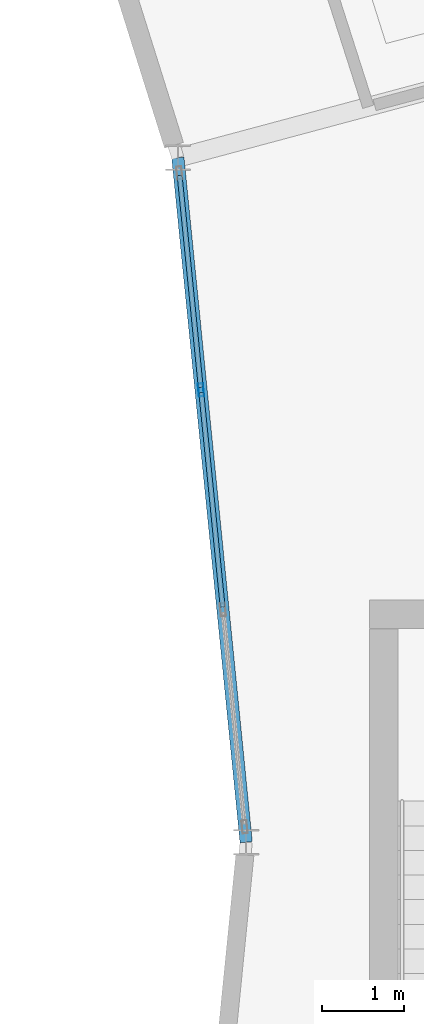
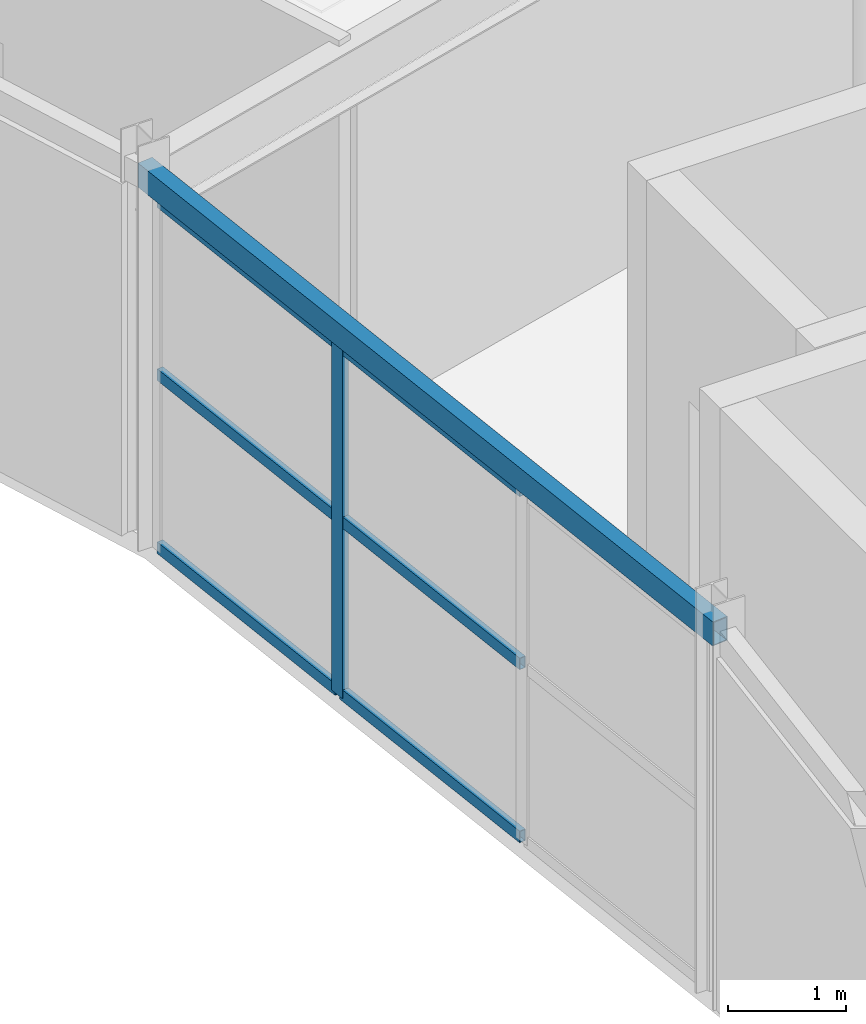
# One storey, part 63 of 147: 7 members, 1 beam, 1 element without a shape of its own.
"""IFC4 building model written with IfcOpenShell, lengths in metres."""

from ifc_helpers import new_model, si_unit, direction, frame, origin, origin_2d, place, context, subcontext, project, spatial, hollow_rectangle, extrude, material, material_profile, profile_set, type_object, element, aggregate, save


model = new_model("IFC4")

# Units and contexts
model_context = context("Model", 3, precision=1e-05, world=origin(), true_north=direction((0.0, 1.0)))
body_context = subcontext(model_context, "Body", "Model", "MODEL_VIEW")
ifc_project = project(units=[si_unit("LENGTHUNIT", "METRE"), si_unit("AREAUNIT", "SQUARE_METRE"), si_unit("VOLUMEUNIT", "CUBIC_METRE"), si_unit("PLANEANGLEUNIT", "RADIAN"), si_unit("MASSUNIT", "GRAM", prefix="KILO")], contexts=[model_context])

# Site, building, storey
site_placement = place(None, origin())
site = spatial("IfcSite", under=ifc_project, at=site_placement, CompositionType="ELEMENT")
building_placement = place(site_placement, origin())
building = spatial("IfcBuilding", under=site, at=building_placement, Name="Karori Crest Natural Sciences Institute", CompositionType="ELEMENT")
storey_placement = place(building_placement, frame((0.0, 0.0, 9.10009765625)))
storey = spatial("IfcBuildingStorey", under=building, at=storey_placement, Name="L02", CompositionType="ELEMENT", Elevation=9.10009765625)

# Beam
ifc_material_1 = material(Name="Hollow structural steel AS/NZS 1163 Grade C350", Category="steel")
ifc_material_profile_1 = material_profile(ifc_material_1, hollow_rectangle(XDim=0.14990234375, YDim=0.25, WallThickness=0.009033203125, at=origin_2d()), Name="RHS250x150x9")
ifc_profile_set_1 = profile_set([ifc_material_profile_1], Name="Hollow structural steel AS/NZS 1163 Grade C350")
beam_type = type_object("IfcBeamType", Name="BT-16", PredefinedType="SPANDREL", material=ifc_profile_set_1)
beam_placement = place(storey_placement, frame((90.800048828125, 49.89990234375, 3.789794921875), z_axis=(-0.099284371237, 0.99505910057, 0.0), x_axis=(-0.99505910057, -0.099284371237, 0.0)))
element("IfcBeam", 1, at=beam_placement, inside=storey, type_object=beam_type, Name="Beam B-0272", PredefinedType="SPANDREL", context=body_context, shape_type="SweptSolid", body=[
    extrude(hollow_rectangle(XDim=0.14990234375, YDim=0.25, WallThickness=0.009033203125, at=origin_2d()), origin(), (0.0, 0.0, 1.0), 8.37548828125),
])

# Curtain wall, members
ifc_material_2 = material(Name="Anodised architectural aluminium 6063-T6", Category="aluminium")
curtain_wall_type = type_object("IfcCurtainWallType", Name="CWT-11", PredefinedType="NOTDEFINED", material=ifc_material_2)
curtain_wall_placement = place(storey_placement, origin())
curtain_wall = element("IfcCurtainWall", 2, at=curtain_wall_placement, inside=storey, type_object=curtain_wall_type, Name="Curtain wall CW-0066", PredefinedType="NOTDEFINED")
ifc_material_profile_2 = material_profile(ifc_material_2, hollow_rectangle(XDim=0.06494140625, YDim=0.159912109375, WallThickness=0.00390625, at=origin_2d()), Name="CWM160x65x4")
ifc_profile_set_2 = profile_set([ifc_material_profile_2], Name="Anodised architectural aluminium 6063-T6")
member_type_1 = type_object("IfcMemberType", Name="CWM-01", PredefinedType="MULLION", material=ifc_profile_set_2)
member_1_placement = place(storey_placement, frame((90.250732421875, 55.406494140625, 0.0), z_axis=(0.0, 0.0, 1.0), x_axis=(-0.995061096607, -0.099264364295, 0.0)))
member_1 = element("IfcMember", 3, at=member_1_placement, type_object=member_type_1, Name="CW-0066 mullion 3", PredefinedType="MULLION", context=body_context, shape_type="SweptSolid", body=[
    extrude(hollow_rectangle(XDim=0.06494140625, YDim=0.159912109375, WallThickness=0.00390625, at=origin_2d()), origin(), (0.0, 0.0, 1.0), 3.64990234375),
])
ifc_material_profile_3 = material_profile(ifc_material_2, hollow_rectangle(XDim=0.06005859375, YDim=0.1201171875, WallThickness=0.00390625, at=origin_2d()), Name="CWT120x60x4")
ifc_profile_set_3 = profile_set([ifc_material_profile_3], Name="Anodised architectural aluminium 6063-T6")
member_type_2 = type_object("IfcMemberType", Name="CWT-TR1", PredefinedType="USERDEFINED", material=ifc_profile_set_3)
member_2_placement = place(storey_placement, frame((90.514404296875, 52.763427734375, 0.02978515625), z_axis=(-0.099282611525, 0.995059276148, 0.0), x_axis=(-0.995059276148, -0.099282611525, 0.0)))
member_2 = element("IfcMember", 4, at=member_2_placement, type_object=member_type_2, Name="CW-0066 transom 2.1", ObjectType="TRANSOM", PredefinedType="USERDEFINED", context=body_context, shape_type="SweptSolid", body=[
    extrude(hollow_rectangle(XDim=0.06005859375, YDim=0.1201171875, WallThickness=0.00390625, at=origin_2d()), origin(), (0.0, 0.0, 1.0), 2.623779296875),
])
member_3_placement = place(storey_placement, frame((90.514404296875, 52.763427734375, 1.824951171875), z_axis=(-0.099282611525, 0.995059276148, 0.0), x_axis=(-0.995059276148, -0.099282611525, 0.0)))
member_3 = element("IfcMember", 5, at=member_3_placement, type_object=member_type_2, Name="CW-0066 transom 2.2", ObjectType="TRANSOM", PredefinedType="USERDEFINED", context=body_context, shape_type="SweptSolid", body=[
    extrude(hollow_rectangle(XDim=0.06005859375, YDim=0.1201171875, WallThickness=0.00390625, at=origin_2d()), origin(), (0.0, 0.0, 1.0), 2.623779296875),
])
member_4_placement = place(storey_placement, frame((90.514404296875, 52.763427734375, 3.619873046875), z_axis=(-0.099282611525, 0.995059276148, 0.0), x_axis=(-0.995059276148, -0.099282611525, 0.0)))
member_4 = element("IfcMember", 6, at=member_4_placement, type_object=member_type_2, Name="CW-0066 transom 2.3", ObjectType="TRANSOM", PredefinedType="USERDEFINED", context=body_context, shape_type="SweptSolid", body=[
    extrude(hollow_rectangle(XDim=0.06005859375, YDim=0.1201171875, WallThickness=0.00390625, at=origin_2d()), origin(), (0.0, 0.0, 1.0), 2.623779296875),
])
member_5_placement = place(storey_placement, frame((90.24755859375, 55.438720703125, 0.02978515625), z_axis=(-0.099298504597, 0.99505769028, 0.0), x_axis=(-0.99505769028, -0.099298504597, 0.0)))
member_5 = element("IfcMember", 7, at=member_5_placement, type_object=member_type_2, Name="CW-0066 transom 3.1", ObjectType="TRANSOM", PredefinedType="USERDEFINED", context=body_context, shape_type="SweptSolid", body=[
    extrude(hollow_rectangle(XDim=0.06005859375, YDim=0.1201171875, WallThickness=0.00390625, at=origin_2d()), origin(), (0.0, 0.0, 1.0), 2.59130859375),
])
member_6_placement = place(storey_placement, frame((90.24755859375, 55.438720703125, 1.824951171875), z_axis=(-0.099298504597, 0.99505769028, 0.0), x_axis=(-0.99505769028, -0.099298504597, 0.0)))
member_6 = element("IfcMember", 8, at=member_6_placement, type_object=member_type_2, Name="CW-0066 transom 3.2", ObjectType="TRANSOM", PredefinedType="USERDEFINED", context=body_context, shape_type="SweptSolid", body=[
    extrude(hollow_rectangle(XDim=0.06005859375, YDim=0.1201171875, WallThickness=0.00390625, at=origin_2d()), origin(), (0.0, 0.0, 1.0), 2.59130859375),
])
member_7_placement = place(storey_placement, frame((90.24755859375, 55.438720703125, 3.619873046875), z_axis=(-0.099298504597, 0.99505769028, 0.0), x_axis=(-0.99505769028, -0.099298504597, 0.0)))
member_7 = element("IfcMember", 9, at=member_7_placement, type_object=member_type_2, Name="CW-0066 transom 3.3", ObjectType="TRANSOM", PredefinedType="USERDEFINED", context=body_context, shape_type="SweptSolid", body=[
    extrude(hollow_rectangle(XDim=0.06005859375, YDim=0.1201171875, WallThickness=0.00390625, at=origin_2d()), origin(), (0.0, 0.0, 1.0), 2.59130859375),
])
aggregate(curtain_wall, [member_1, member_2, member_3, member_4, member_5, member_6, member_7])

save(model, "model.ifc")
